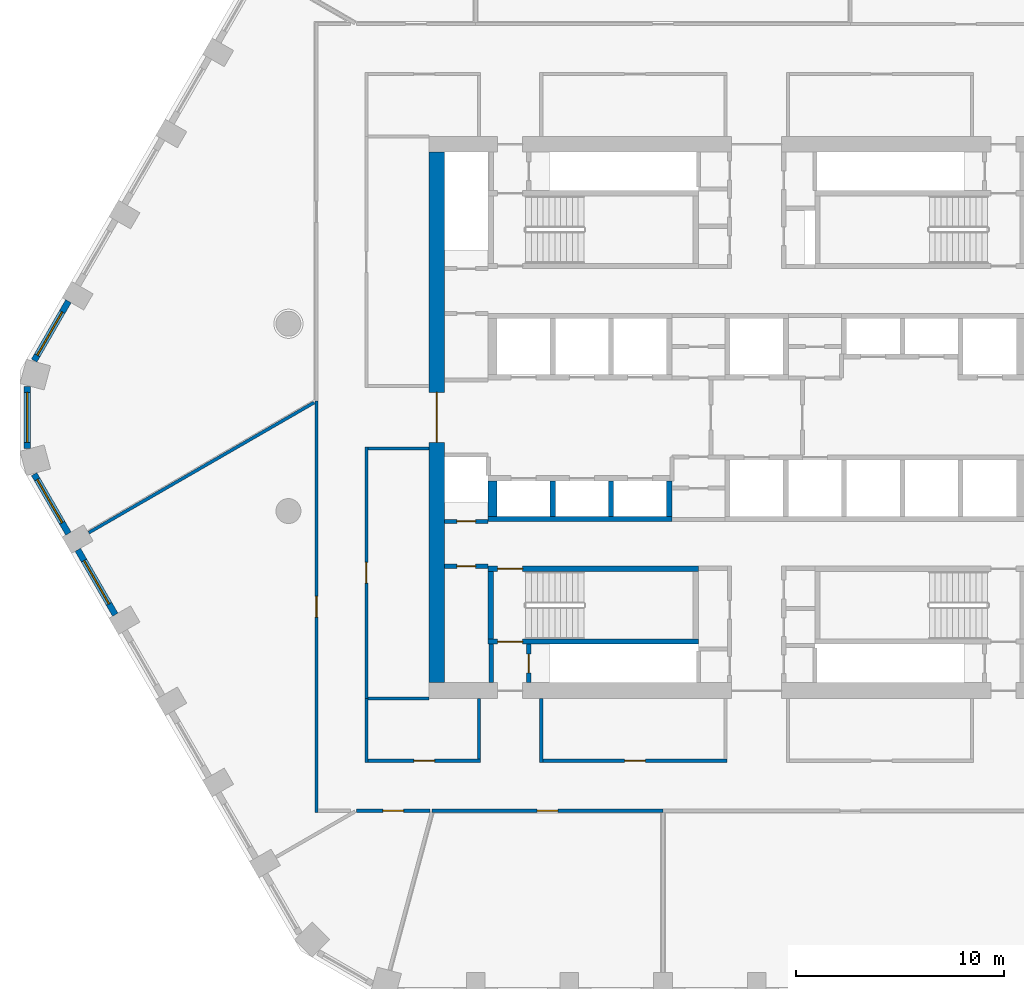
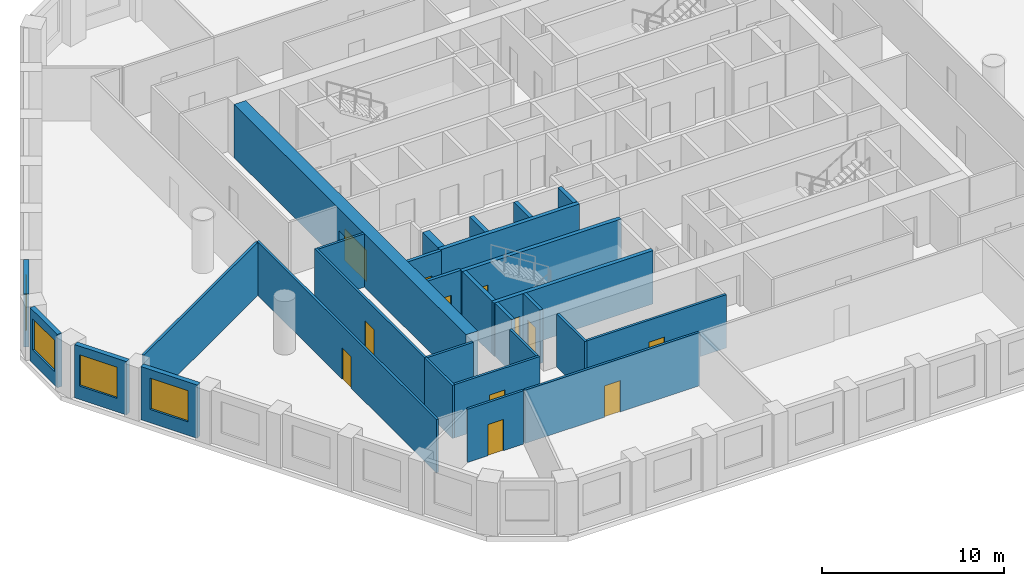
# One storey, part 2 of 14: 29 walls, 12 doors, 4 windows, 16 openings.
"""IFC4 building model written with IfcOpenShell, lengths in metres."""

from ifc_helpers import new_model, si_unit, direction, frame, frame_2d, origin, place, context, subcontext, project, spatial, polyline, rectangle, outline, extrude, material, layer, layer_set, type_object, element, fill, save


model = new_model("IFC4")

# Units and contexts
model_context = context("Model", 3, precision=1e-05, world=origin(), true_north=direction((0.0, 1.0)))
body_context = subcontext(model_context, "Body", "Model", "MODEL_VIEW")
ifc_project = project(units=[si_unit("LENGTHUNIT", "METRE"), si_unit("AREAUNIT", "SQUARE_METRE"), si_unit("VOLUMEUNIT", "CUBIC_METRE"), si_unit("PLANEANGLEUNIT", "RADIAN"), si_unit("MASSUNIT", "GRAM", prefix="KILO")], contexts=[model_context])

# Site, building, storey
site_placement = place(None, origin())
site = spatial("IfcSite", under=ifc_project, at=site_placement, CompositionType="ELEMENT")
building_placement = place(site_placement, origin())
building = spatial("IfcBuilding", under=site, at=building_placement, Name="Dhurran Vertical Campus", CompositionType="ELEMENT")
storey_placement = place(building_placement, frame((0.0, 0.0, 136.5)))
storey = spatial("IfcBuildingStorey", under=building, at=storey_placement, Name="L33", CompositionType="ELEMENT", Elevation=136.5)

# Wall, opening, window
ifc_material_1 = material(Name="Precast concrete C50/60", Category="concrete")
ifc_layer_1 = layer(ifc_material_1, 0.300048828125)
ifc_layer_set_1 = layer_set([ifc_layer_1], Name="Precast concrete C50/60")
wall_type_1 = type_object("IfcWallType", Name="Precast spandrel wall 300", PredefinedType="SOLIDWALL", material=ifc_layer_set_1)
wall_1_placement = place(storey_placement, frame((-33.0693359375, 5.58203125, 0.0), z_axis=(0.0, 0.0, 1.0), x_axis=(-0.499981217486, -0.866036247602, 0.0)))
wall_1 = element("IfcWall", 1, at=wall_1_placement, inside=storey, type_object=wall_type_1, Name="EW1 L33.37", PredefinedType="SOLIDWALL", context=body_context, shape_type="SweptSolid", body=[
    extrude(rectangle(XDim=3.294189453125, YDim=0.300048828125, at=frame_2d((1.64697265625, 0.0))), origin(), (0.0, 0.0, 1.0), 3.574951171875),
])
opening_1_placement = place(wall_1_placement, frame((0.599609375, 0.0, 0.89990234375)))
opening_1 = element("IfcOpeningElement", 2, at=opening_1_placement, cuts=wall_1, Name="Opening WT1", PredefinedType="OPENING", context=body_context, shape_type="SweptSolid", body=[
    extrude(rectangle(XDim=2.39990234375, YDim=2.10009765625, at=frame_2d((1.199951171875, 1.050048828125))), frame((0.0, 0.159912109375, 0.0), z_axis=(0.0, -1.0, 0.0), x_axis=(1.0, 0.0, 0.0)), (0.0, 0.0, 1.0), 0.320068359375),
])
ifc_material_2 = material(Name="Aluminium frame with solar-control glass", Category="aluminium")
window_type = type_object("IfcWindowType", Name="Punched window 2400 x 2100", PartitioningType="SINGLE_PANEL", PredefinedType="WINDOW", material=ifc_material_2)
window_1_placement = place(opening_1_placement, origin())
window_1 = element("IfcWindow", 3, at=window_1_placement, inside=storey, type_object=window_type, Name="WT1 L33.37", OverallHeight=2.10009765625, OverallWidth=2.39990234375, PartitioningType="SINGLE_PANEL", PredefinedType="WINDOW", context=body_context, shape_type="SweptSolid", body=[
    extrude(rectangle(XDim=2.39990234375, YDim=2.10009765625, at=frame_2d((1.199951171875, 1.050048828125))), frame((0.0, 0.030029296875, 0.0), z_axis=(0.0, -1.0, 0.0), x_axis=(1.0, 0.0, 0.0)), (0.0, 0.0, 1.0), 0.06005859375),
])
fill(opening_1, window_1)

wall_2_placement = place(storey_placement, frame((-35.047119140625, 1.49462890625, 0.0), z_axis=(0.0, 0.0, 1.0), x_axis=(0.0, -1.0, 0.0)))
wall_2 = element("IfcWall", 4, at=wall_2_placement, inside=storey, type_object=wall_type_1, Name="EW1 L33.38", PredefinedType="SOLIDWALL", context=body_context, shape_type="SweptSolid", body=[
    extrude(rectangle(XDim=2.9892578125, YDim=0.300048828125, at=frame_2d((1.49462890625, 0.0))), origin(), (0.0, 0.0, 1.0), 3.574951171875),
])
opening_2_placement = place(wall_2_placement, frame((0.294677734375, 0.0, 0.89990234375)))
opening_2 = element("IfcOpeningElement", 5, at=opening_2_placement, cuts=wall_2, Name="Opening WT1", PredefinedType="OPENING", context=body_context, shape_type="SweptSolid", body=[
    extrude(rectangle(XDim=2.39990234375, YDim=2.10009765625, at=frame_2d((1.199951171875, 1.050048828125))), frame((0.0, 0.159912109375, 0.0), z_axis=(0.0, -1.0, 0.0), x_axis=(1.0, 0.0, 0.0)), (0.0, 0.0, 1.0), 0.320068359375),
])
window_2_placement = place(opening_2_placement, origin())
window_2 = element("IfcWindow", 6, at=window_2_placement, inside=storey, type_object=window_type, Name="WT1 L33.38", OverallHeight=2.10009765625, OverallWidth=2.39990234375, PartitioningType="SINGLE_PANEL", PredefinedType="WINDOW", context=body_context, shape_type="SweptSolid", body=[
    extrude(rectangle(XDim=2.39990234375, YDim=2.10009765625, at=frame_2d((1.199951171875, 1.050048828125))), frame((0.0, 0.030029296875, 0.0), z_axis=(0.0, -1.0, 0.0), x_axis=(1.0, 0.0, 0.0)), (0.0, 0.0, 1.0), 0.06005859375),
])
fill(opening_2, window_2)

wall_3_placement = place(storey_placement, frame((-34.71630859375, -2.729248046875, 0.0), z_axis=(0.0, 0.0, 1.0), x_axis=(0.499981217486, -0.866036247602, 0.0)))
wall_3 = element("IfcWall", 7, at=wall_3_placement, inside=storey, type_object=wall_type_1, Name="EW1 L33.39", PredefinedType="SOLIDWALL", context=body_context, shape_type="SweptSolid", body=[
    extrude(rectangle(XDim=3.294189453125, YDim=0.300048828125, at=frame_2d((1.64697265625, 0.0))), origin(), (0.0, 0.0, 1.0), 3.574951171875),
])
opening_3_placement = place(wall_3_placement, frame((0.294677734375, 0.0, 0.89990234375)))
opening_3 = element("IfcOpeningElement", 8, at=opening_3_placement, cuts=wall_3, Name="Opening WT1", PredefinedType="OPENING", context=body_context, shape_type="SweptSolid", body=[
    extrude(rectangle(XDim=2.39990234375, YDim=2.10009765625, at=frame_2d((1.199951171875, 1.050048828125))), frame((0.0, 0.159912109375, 0.0), z_axis=(0.0, -1.0, 0.0), x_axis=(1.0, 0.0, 0.0)), (0.0, 0.0, 1.0), 0.320068359375),
])
window_3_placement = place(opening_3_placement, origin())
window_3 = element("IfcWindow", 9, at=window_3_placement, inside=storey, type_object=window_type, Name="WT1 L33.39", OverallHeight=2.10009765625, OverallWidth=2.39990234375, PartitioningType="SINGLE_PANEL", PredefinedType="WINDOW", context=body_context, shape_type="SweptSolid", body=[
    extrude(rectangle(XDim=2.39990234375, YDim=2.10009765625, at=frame_2d((1.199951171875, 1.050048828125))), frame((0.0, 0.030029296875, 0.0), z_axis=(0.0, -1.0, 0.0), x_axis=(1.0, 0.0, 0.0)), (0.0, 0.0, 1.0), 0.06005859375),
])
fill(opening_3, window_3)

wall_4_placement = place(storey_placement, frame((-32.618896484375, -6.3623046875, 0.0), z_axis=(0.0, 0.0, 1.0), x_axis=(0.500027802648, -0.866009351323, 0.0)))
wall_4 = element("IfcWall", 10, at=wall_4_placement, inside=storey, type_object=wall_type_1, Name="EW1 L33.40", PredefinedType="SOLIDWALL", context=body_context, shape_type="SweptSolid", body=[
    extrude(rectangle(XDim=3.598876953125, YDim=0.300048828125, at=frame_2d((1.79931640625, 0.0))), origin(), (0.0, 0.0, 1.0), 3.574951171875),
])
opening_4_placement = place(wall_4_placement, frame((0.599609375, 0.0, 0.89990234375)))
opening_4 = element("IfcOpeningElement", 11, at=opening_4_placement, cuts=wall_4, Name="Opening WT1", PredefinedType="OPENING", context=body_context, shape_type="SweptSolid", body=[
    extrude(rectangle(XDim=2.39990234375, YDim=2.10009765625, at=frame_2d((1.199951171875, 1.050048828125))), frame((0.0, 0.159912109375, 0.0), z_axis=(0.0, -1.0, 0.0), x_axis=(1.0, 0.0, 0.0)), (0.0, 0.0, 1.0), 0.320068359375),
])
window_4_placement = place(opening_4_placement, origin())
window_4 = element("IfcWindow", 12, at=window_4_placement, inside=storey, type_object=window_type, Name="WT1 L33.40", OverallHeight=2.10009765625, OverallWidth=2.39990234375, PartitioningType="SINGLE_PANEL", PredefinedType="WINDOW", context=body_context, shape_type="SweptSolid", body=[
    extrude(rectangle(XDim=2.39990234375, YDim=2.10009765625, at=frame_2d((1.199951171875, 1.050048828125))), frame((0.0, 0.030029296875, 0.0), z_axis=(0.0, -1.0, 0.0), x_axis=(1.0, 0.0, 0.0)), (0.0, 0.0, 1.0), 0.06005859375),
])
fill(opening_4, window_4)

# Wall, opening, door
ifc_material_3 = material(Name="Concrete C60/75", Category="concrete")
ifc_layer_2 = layer(ifc_material_3, 0.75)
ifc_layer_set_2 = layer_set([ifc_layer_2], Name="Concrete C60/75")
wall_type_2 = type_object("IfcWallType", Name="co-CORE-WALL-C1-750", PredefinedType="SHEAR", material=ifc_layer_set_2)
wall_5_placement = place(storey_placement, frame((-15.375, -12.75, 0.0), z_axis=(0.0, 0.0, 1.0), x_axis=(0.0, 1.0, 0.0)))
wall_5 = element("IfcWall", 13, at=wall_5_placement, inside=storey, type_object=wall_type_2, Name="Core wall W L33", PredefinedType="SHEAR", context=body_context, shape_type="SweptSolid", body=[
    extrude(rectangle(XDim=25.5, YDim=0.75, at=frame_2d((12.75, 0.0))), origin(), (0.0, 0.0, 1.0), 3.574951171875),
])
opening_5_placement = place(wall_5_placement, frame((11.550048828125, 0.0, 0.0)))
opening_5 = element("IfcOpeningElement", 14, at=opening_5_placement, cuts=wall_5, Name="Opening CL1", PredefinedType="OPENING", context=body_context, shape_type="SweptSolid", body=[
    extrude(rectangle(XDim=2.39990234375, YDim=2.10009765625, at=frame_2d((1.199951171875, 1.050048828125))), frame((0.0, 0.385009765625, 0.0), z_axis=(0.0, -1.0, 0.0), x_axis=(1.0, 0.0, 0.0)), (0.0, 0.0, 1.0), 0.77001953125),
])
ifc_material_4 = material(Name="Fire-rated glazed door set")
door_type_1 = type_object("IfcDoorType", Name="co-D-LOBBY 2400x2100", OperationType="DOUBLE_DOOR_DOUBLE_SWING", PredefinedType="DOOR", material=ifc_material_4)
door_1_placement = place(opening_5_placement, origin())
door_1 = element("IfcDoor", 15, at=door_1_placement, inside=storey, type_object=door_type_1, Name="Lift lobby door W L33", OperationType="DOUBLE_DOOR_DOUBLE_SWING", OverallHeight=2.10009765625, OverallWidth=2.39990234375, PredefinedType="DOOR", context=body_context, shape_type="SweptSolid", body=[
    extrude(rectangle(XDim=2.39990234375, YDim=2.10009765625, at=frame_2d((1.199951171875, 1.050048828125))), frame((0.0, 0.02490234375, 0.0), z_axis=(0.0, -1.0, 0.0), x_axis=(1.0, 0.0, 0.0)), (0.0, 0.0, 1.0), 0.050048828125),
])
fill(opening_5, door_1)

# Wall
ifc_material_5 = material(Name="Fire-rated masonry blockwork", Category="masonry")
ifc_layer_3 = layer(ifc_material_5, 0.199951171875)
ifc_layer_set_3 = layer_set([ifc_layer_3], Name="Fire-rated masonry blockwork")
wall_type_3 = type_object("IfcWallType", Name="co-FIRE-PARTITION-200", PredefinedType="PARTITIONING", material=ifc_layer_set_3)
wall_6_placement = place(storey_placement, frame((-12.75, -12.75, 0.0), z_axis=(0.0, 0.0, 1.0), x_axis=(0.0, 1.0, 0.0)))
element("IfcWall", 16, at=wall_6_placement, inside=storey, type_object=wall_type_3, Name="Core partition pass-ST3-o L33", PredefinedType="PARTITIONING", context=body_context, shape_type="SweptSolid", body=[
    extrude(rectangle(XDim=1.85009765625, YDim=0.199951171875, at=frame_2d((0.925048828125, 0.0))), origin(), (0.0, 0.0, 1.0), 3.574951171875),
])

# Wall, opening, door
wall_7_placement = place(storey_placement, frame((-10.949951171875, -12.75, 0.0), z_axis=(0.0, 0.0, 1.0), x_axis=(0.0, 1.0, 0.0)))
wall_7 = element("IfcWall", 17, at=wall_7_placement, inside=storey, type_object=wall_type_3, Name="Core partition pass-ST3-i L33", PredefinedType="PARTITIONING", context=body_context, shape_type="SweptSolid", body=[
    extrude(rectangle(XDim=1.85009765625, YDim=0.199951171875, at=frame_2d((0.925048828125, 0.0))), origin(), (0.0, 0.0, 1.0), 3.574951171875),
])
opening_6_placement = place(wall_7_placement, frame((0.47509765625, 0.0, 0.0)))
opening_6 = element("IfcOpeningElement", 18, at=opening_6_placement, cuts=wall_7, Name="Opening T09-C13", PredefinedType="OPENING", context=body_context, shape_type="SweptSolid", body=[
    extrude(rectangle(XDim=0.89990234375, YDim=2.10009765625, at=frame_2d((0.449951171875, 1.050048828125))), frame((0.0, 0.10986328125, 0.0), z_axis=(0.0, -1.0, 0.0), x_axis=(1.0, 0.0, 0.0)), (0.0, 0.0, 1.0), 0.219970703125),
])
ifc_material_6 = material(Name="Fire-rated timber door set", Category="wood")
door_type_2 = type_object("IfcDoorType", Name="co-D-ROOM 900x2100", OperationType="SINGLE_SWING_LEFT", PredefinedType="DOOR", material=ifc_material_6)
door_2_placement = place(opening_6_placement, origin())
door_2 = element("IfcDoor", 19, at=door_2_placement, inside=storey, type_object=door_type_2, Name="Riser room door L33", OperationType="SINGLE_SWING_LEFT", OverallHeight=2.10009765625, OverallWidth=0.89990234375, PredefinedType="DOOR", context=body_context, shape_type="SweptSolid", body=[
    extrude(rectangle(XDim=0.89990234375, YDim=2.10009765625, at=frame_2d((0.449951171875, 1.050048828125))), frame((0.0, 0.02490234375, 0.0), z_axis=(0.0, -1.0, 0.0), x_axis=(1.0, 0.0, 0.0)), (0.0, 0.0, 1.0), 0.050048828125),
])
fill(opening_6, door_2)

wall_8_placement = place(storey_placement, frame((-15.0, -7.14990234375, 0.0), z_axis=(0.0, 0.0, 1.0), x_axis=(1.0, 0.0, 0.0)))
wall_8 = element("IfcWall", 20, at=wall_8_placement, inside=storey, type_object=wall_type_3, Name="Core partition en-SW-w L33", PredefinedType="PARTITIONING", context=body_context, shape_type="SweptSolid", body=[
    extrude(rectangle(XDim=2.10009765625, YDim=0.199951171875, at=frame_2d((1.050048828125, 0.0))), origin(), (0.0, 0.0, 1.0), 3.574951171875),
])
opening_7_placement = place(wall_8_placement, frame((0.60009765625, 0.0, 0.0)))
opening_7 = element("IfcOpeningElement", 21, at=opening_7_placement, cuts=wall_8, Name="Opening T09-C19", PredefinedType="OPENING", context=body_context, shape_type="SweptSolid", body=[
    extrude(rectangle(XDim=0.89990234375, YDim=2.10009765625, at=frame_2d((0.449951171875, 1.050048828125))), frame((0.0, 0.10986328125, 0.0), z_axis=(0.0, -1.0, 0.0), x_axis=(1.0, 0.0, 0.0)), (0.0, 0.0, 1.0), 0.219970703125),
])
door_3_placement = place(opening_7_placement, origin())
door_3 = element("IfcDoor", 22, at=door_3_placement, inside=storey, type_object=door_type_2, Name="Print room door L33", OperationType="SINGLE_SWING_LEFT", OverallHeight=2.10009765625, OverallWidth=0.89990234375, PredefinedType="DOOR", context=body_context, shape_type="SweptSolid", body=[
    extrude(rectangle(XDim=0.89990234375, YDim=2.10009765625, at=frame_2d((0.449951171875, 1.050048828125))), frame((0.0, 0.02490234375, 0.0), z_axis=(0.0, -1.0, 0.0), x_axis=(1.0, 0.0, 0.0)), (0.0, 0.0, 1.0), 0.050048828125),
])
fill(opening_7, door_3)

wall_9_placement = place(storey_placement, frame((-15.0, -5.0, 0.0), z_axis=(0.0, 0.0, 1.0), x_axis=(1.0, 0.0, 0.0)))
wall_9 = element("IfcWall", 23, at=wall_9_placement, inside=storey, type_object=wall_type_3, Name="Core partition es-SW-w L33", PredefinedType="PARTITIONING", context=body_context, shape_type="SweptSolid", body=[
    extrude(rectangle(XDim=2.10009765625, YDim=0.199951171875, at=frame_2d((1.050048828125, 0.0))), origin(), (0.0, 0.0, 1.0), 3.574951171875),
])
opening_8_placement = place(wall_9_placement, frame((0.60009765625, 0.0, 0.0)))
opening_8 = element("IfcOpeningElement", 24, at=opening_8_placement, cuts=wall_9, Name="Opening T09-C20", PredefinedType="OPENING", context=body_context, shape_type="SweptSolid", body=[
    extrude(rectangle(XDim=0.89990234375, YDim=2.10009765625, at=frame_2d((0.449951171875, 1.050048828125))), frame((0.0, 0.10986328125, 0.0), z_axis=(0.0, -1.0, 0.0), x_axis=(1.0, 0.0, 0.0)), (0.0, 0.0, 1.0), 0.219970703125),
])
door_4_placement = place(opening_8_placement, origin())
door_4 = element("IfcDoor", 25, at=door_4_placement, inside=storey, type_object=door_type_2, Name="Water riser door L33", OperationType="SINGLE_SWING_LEFT", OverallHeight=2.10009765625, OverallWidth=0.89990234375, PredefinedType="DOOR", context=body_context, shape_type="SweptSolid", body=[
    extrude(rectangle(XDim=0.89990234375, YDim=2.10009765625, at=frame_2d((0.449951171875, 1.050048828125))), frame((0.0, 0.02490234375, 0.0), z_axis=(0.0, -1.0, 0.0), x_axis=(1.0, 0.0, 0.0)), (0.0, 0.0, 1.0), 0.050048828125),
])
fill(opening_8, door_4)

# Walls
ifc_material_7 = material(Name="Concrete C50/60", Category="concrete")
ifc_layer_4 = layer(ifc_material_7, 0.25)
ifc_layer_set_4 = layer_set([ifc_layer_4], Name="Concrete C50/60")
wall_type_4 = type_object("IfcWallType", Name="co-SHAFT-MASS-250", PredefinedType="SHEAR", material=ifc_layer_set_4)
wall_10_placement = place(storey_placement, origin())
element("IfcWall", 26, at=wall_10_placement, inside=storey, type_object=wall_type_4, Name="Lift shaft wall S L33 1", PredefinedType="SHEAR", context=body_context, shape_type="SweptSolid", body=[
    extrude(outline(polyline([(-12.89990234375, -5.0), (-4.074951171875, -5.0), (-4.074951171875, -4.75), (-12.89990234375, -4.75), (-12.89990234375, -5.0)])), origin(), (0.0, 0.0, 1.0), 3.574951171875),
])
wall_11_placement = place(storey_placement, origin())
element("IfcWall", 27, at=wall_11_placement, inside=storey, type_object=wall_type_4, Name="Lift shaft wall S L33 3", PredefinedType="SHEAR", context=body_context, shape_type="SweptSolid", body=[
    extrude(outline(polyline([(-12.89990234375, -4.75), (-12.47509765625, -4.75), (-12.47509765625, -3.050048828125), (-12.89990234375, -3.050048828125), (-12.89990234375, -4.75)])), origin(), (0.0, 0.0, 1.0), 3.574951171875),
])
wall_12_placement = place(storey_placement, origin())
element("IfcWall", 28, at=wall_12_placement, inside=storey, type_object=wall_type_4, Name="Lift shaft wall S L33 4", PredefinedType="SHEAR", context=body_context, shape_type="SweptSolid", body=[
    extrude(outline(polyline([(-9.925048828125, -4.75), (-9.675048828125, -4.75), (-9.675048828125, -3.050048828125), (-9.925048828125, -3.050048828125), (-9.925048828125, -4.75)])), origin(), (0.0, 0.0, 1.0), 3.574951171875),
])
wall_13_placement = place(storey_placement, origin())
element("IfcWall", 29, at=wall_13_placement, inside=storey, type_object=wall_type_4, Name="Lift shaft wall S L33 5", PredefinedType="SHEAR", context=body_context, shape_type="SweptSolid", body=[
    extrude(outline(polyline([(-7.125, -4.75), (-6.875, -4.75), (-6.875, -3.050048828125), (-7.125, -3.050048828125), (-7.125, -4.75)])), origin(), (0.0, 0.0, 1.0), 3.574951171875),
])
wall_14_placement = place(storey_placement, origin())
element("IfcWall", 30, at=wall_14_placement, inside=storey, type_object=wall_type_4, Name="Lift shaft wall S L33 6", PredefinedType="SHEAR", context=body_context, shape_type="SweptSolid", body=[
    extrude(outline(polyline([(-4.324951171875, -4.75), (-4.074951171875, -4.75), (-4.074951171875, -3.050048828125), (-4.324951171875, -3.050048828125), (-4.324951171875, -4.75)])), origin(), (0.0, 0.0, 1.0), 3.574951171875),
])

# Wall, opening, door
ifc_material_8 = material(Name="Concrete C40/50", Category="concrete")
ifc_layer_5 = layer(ifc_material_8, 0.25)
ifc_layer_set_5 = layer_set([ifc_layer_5], Name="Concrete C40/50")
wall_type_5 = type_object("IfcWallType", Name="co-STAIR-WALL-250", PredefinedType="SHEAR", material=ifc_layer_set_5)
wall_15_placement = place(storey_placement, frame((-12.89990234375, -10.77490234375, 0.0), z_axis=(0.0, 0.0, 1.0), x_axis=(1.0, 0.0, 0.0)))
wall_15 = element("IfcWall", 31, at=wall_15_placement, inside=storey, type_object=wall_type_5, Name="Stair ST3 enclosure wall L33", PredefinedType="SHEAR", context=body_context, shape_type="SweptSolid", body=[
    extrude(rectangle(XDim=10.099853515625, YDim=0.25, at=frame_2d((5.0498046875, 0.0))), origin(), (0.0, 0.0, 1.0), 3.574951171875),
])
opening_9_placement = place(wall_15_placement, frame((0.449951171875, 0.0, 0.0)))
opening_9 = element("IfcOpeningElement", 32, at=opening_9_placement, cuts=wall_15, Name="Opening XS3", PredefinedType="OPENING", context=body_context, shape_type="SweptSolid", body=[
    extrude(rectangle(XDim=1.199951171875, YDim=2.10009765625, at=frame_2d((0.60009765625, 1.050048828125))), frame((0.0, 0.135009765625, 0.0), z_axis=(0.0, -1.0, 0.0), x_axis=(1.0, 0.0, 0.0)), (0.0, 0.0, 1.0), 0.27001953125),
])
ifc_material_9 = material(Name="Fire-rated steel door set", Category="steel")
door_type_3 = type_object("IfcDoorType", Name="co-D-STAIR-EXIT 1200x2100", OperationType="SINGLE_SWING_RIGHT", PredefinedType="DOOR", material=ifc_material_9)
door_5_placement = place(opening_9_placement, origin())
door_5 = element("IfcDoor", 33, at=door_5_placement, inside=storey, type_object=door_type_3, Name="Stair ST3 discharge door L33", OperationType="SINGLE_SWING_RIGHT", OverallHeight=2.10009765625, OverallWidth=1.199951171875, PredefinedType="DOOR", context=body_context, shape_type="SweptSolid", body=[
    extrude(rectangle(XDim=1.199951171875, YDim=2.10009765625, at=frame_2d((0.60009765625, 1.050048828125))), frame((0.0, 0.02490234375, 0.0), z_axis=(0.0, -1.0, 0.0), x_axis=(1.0, 0.0, 0.0)), (0.0, 0.0, 1.0), 0.050048828125),
])
fill(opening_9, door_5)

wall_16_placement = place(storey_placement, frame((-12.89990234375, -7.27490234375, 0.0), z_axis=(0.0, 0.0, 1.0), x_axis=(1.0, 0.0, 0.0)))
wall_16 = element("IfcWall", 34, at=wall_16_placement, inside=storey, type_object=wall_type_5, Name="Stair ST3 enclosure wall L33", PredefinedType="SHEAR", context=body_context, shape_type="SweptSolid", body=[
    extrude(rectangle(XDim=10.099853515625, YDim=0.25, at=frame_2d((5.0498046875, 0.0))), origin(), (0.0, 0.0, 1.0), 3.574951171875),
])
opening_10_placement = place(wall_16_placement, frame((0.449951171875, 0.0, 0.0)))
opening_10 = element("IfcOpeningElement", 35, at=opening_10_placement, cuts=wall_16, Name="Opening SD3", PredefinedType="OPENING", context=body_context, shape_type="SweptSolid", body=[
    extrude(rectangle(XDim=1.199951171875, YDim=2.10009765625, at=frame_2d((0.60009765625, 1.050048828125))), frame((0.0, 0.135009765625, 0.0), z_axis=(0.0, -1.0, 0.0), x_axis=(1.0, 0.0, 0.0)), (0.0, 0.0, 1.0), 0.27001953125),
])
ifc_material_10 = material(Name="Fire-rated steel door set", Category="steel")
door_type_4 = type_object("IfcDoorType", Name="co-D-STAIR 1200x2100", OperationType="SINGLE_SWING_LEFT", PredefinedType="DOOR", material=ifc_material_10)
door_6_placement = place(opening_10_placement, origin())
door_6 = element("IfcDoor", 36, at=door_6_placement, inside=storey, type_object=door_type_4, Name="Stair ST3 door L33", OperationType="SINGLE_SWING_LEFT", OverallHeight=2.10009765625, OverallWidth=1.199951171875, PredefinedType="DOOR", context=body_context, shape_type="SweptSolid", body=[
    extrude(rectangle(XDim=1.199951171875, YDim=2.10009765625, at=frame_2d((0.60009765625, 1.050048828125))), frame((0.0, 0.02490234375, 0.0), z_axis=(0.0, -1.0, 0.0), x_axis=(1.0, 0.0, 0.0)), (0.0, 0.0, 1.0), 0.050048828125),
])
fill(opening_10, door_6)

# Wall
wall_17_placement = place(storey_placement, frame((-12.77490234375, -10.64990234375, 0.0), z_axis=(0.0, 0.0, 1.0), x_axis=(0.0, 1.0, 0.0)))
element("IfcWall", 37, at=wall_17_placement, inside=storey, type_object=wall_type_5, Name="Stair ST3 enclosure wall L33", PredefinedType="SHEAR", context=body_context, shape_type="SweptSolid", body=[
    extrude(rectangle(XDim=3.25, YDim=0.25, at=frame_2d((1.625, 0.0))), origin(), (0.0, 0.0, 1.0), 3.574951171875),
])

# Wall, opening, door
ifc_material_11 = material(Name="Gypsum board corridor wall on steel studs", Category="steel")
ifc_layer_6 = layer(ifc_material_11, 0.14990234375)
ifc_layer_set_6 = layer_set([ifc_layer_6], Name="Gypsum board corridor wall on steel studs")
wall_type_6 = type_object("IfcWallType", Name="fl-CW-150 corridor wall", PredefinedType="PARTITIONING", material=ifc_layer_set_6)
wall_18_placement = place(storey_placement, frame((-21.14990234375, 0.779052734375, 0.0), z_axis=(0.0, 0.0, 1.0), x_axis=(0.0, -1.0, 0.0)))
wall_18 = element("IfcWall", 38, at=wall_18_placement, inside=storey, type_object=wall_type_6, Name="Partition 33-04", PredefinedType="PARTITIONING", context=body_context, shape_type="SweptSolid", body=[
    extrude(rectangle(XDim=19.754150390625, YDim=0.14990234375, at=frame_2d((9.876953125, 0.0))), origin(), (0.0, 0.0, 1.0), 3.574951171875),
])
opening_11_placement = place(wall_18_placement, frame((9.376953125, 0.0, 0.0)))
opening_11 = element("IfcOpeningElement", 39, at=opening_11_placement, cuts=wall_18, Name="Opening T09.02", PredefinedType="OPENING", context=body_context, shape_type="SweptSolid", body=[
    extrude(rectangle(XDim=1.0, YDim=2.10009765625, at=frame_2d((0.5, 1.050048828125))), frame((0.0, 0.0849609375, 0.0), z_axis=(0.0, -1.0, 0.0), x_axis=(1.0, 0.0, 0.0)), (0.0, 0.0, 1.0), 0.169921875),
])
ifc_material_12 = material(Name="Solid-core timber door set, fire-rated", Category="wood")
door_type_5 = type_object("IfcDoorType", Name="fl-D-1000x2100", OperationType="SINGLE_SWING_LEFT", PredefinedType="DOOR", material=ifc_material_12)
door_7_placement = place(opening_11_placement, origin())
door_7 = element("IfcDoor", 40, at=door_7_placement, inside=storey, type_object=door_type_5, Name="Door 33.02", OperationType="SINGLE_SWING_RIGHT", OverallHeight=2.10009765625, OverallWidth=1.0, PredefinedType="DOOR", context=body_context, shape_type="SweptSolid", body=[
    extrude(rectangle(XDim=1.0, YDim=2.10009765625, at=frame_2d((0.5, 1.050048828125))), frame((0.0, 0.02490234375, 0.0), z_axis=(0.0, -1.0, 0.0), x_axis=(1.0, 0.0, 0.0)), (0.0, 0.0, 1.0), 0.050048828125),
])
fill(opening_11, door_7)

wall_19_placement = place(storey_placement, frame((-19.236083984375, -18.89990234375, 0.0), z_axis=(0.0, 0.0, 1.0), x_axis=(1.0, 0.0, 0.0)))
wall_19 = element("IfcWall", 41, at=wall_19_placement, inside=storey, type_object=wall_type_6, Name="Partition 33-08", PredefinedType="PARTITIONING", context=body_context, shape_type="SweptSolid", body=[
    extrude(rectangle(XDim=3.548095703125, YDim=0.14990234375, at=frame_2d((1.77392578125, 0.0))), origin(), (0.0, 0.0, 1.0), 3.574951171875),
])
opening_12_placement = place(wall_19_placement, frame((1.27392578125, 0.0, 0.0)))
opening_12 = element("IfcOpeningElement", 42, at=opening_12_placement, cuts=wall_19, Name="Opening T09.03", PredefinedType="OPENING", context=body_context, shape_type="SweptSolid", body=[
    extrude(rectangle(XDim=1.0, YDim=2.10009765625, at=frame_2d((0.5, 1.050048828125))), frame((0.0, 0.0849609375, 0.0), z_axis=(0.0, -1.0, 0.0), x_axis=(1.0, 0.0, 0.0)), (0.0, 0.0, 1.0), 0.169921875),
])
door_8_placement = place(opening_12_placement, origin())
door_8 = element("IfcDoor", 43, at=door_8_placement, inside=storey, type_object=door_type_5, Name="Door 33.03", OperationType="SINGLE_SWING_LEFT", OverallHeight=2.10009765625, OverallWidth=1.0, PredefinedType="DOOR", context=body_context, shape_type="SweptSolid", body=[
    extrude(rectangle(XDim=1.0, YDim=2.10009765625, at=frame_2d((0.5, 1.050048828125))), frame((0.0, 0.02490234375, 0.0), z_axis=(0.0, -1.0, 0.0), x_axis=(1.0, 0.0, 0.0)), (0.0, 0.0, 1.0), 0.050048828125),
])
fill(opening_12, door_8)

# Wall
wall_20_placement = place(storey_placement, frame((-18.75, -16.574951171875, 0.0), z_axis=(0.0, 0.0, 1.0), x_axis=(0.0, 1.0, 0.0)))
element("IfcWall", 44, at=wall_20_placement, inside=storey, type_object=wall_type_6, Name="Partition 33-10", PredefinedType="PARTITIONING", context=body_context, shape_type="SweptSolid", body=[
    extrude(rectangle(XDim=3.074951171875, YDim=0.14990234375, at=frame_2d((1.53759765625, 0.0))), origin(), (0.0, 0.0, 1.0), 3.574951171875),
])

# Wall, opening, door
wall_21_placement = place(storey_placement, frame((-13.27490234375, -16.5, 0.0), z_axis=(0.0, 0.0, 1.0), x_axis=(-1.0, 0.0, 0.0)))
wall_21 = element("IfcWall", 45, at=wall_21_placement, inside=storey, type_object=wall_type_6, Name="Partition 33-11", PredefinedType="PARTITIONING", context=body_context, shape_type="SweptSolid", body=[
    extrude(rectangle(XDim=5.400146484375, YDim=0.14990234375, at=frame_2d((2.7001953125, 0.0))), origin(), (0.0, 0.0, 1.0), 3.574951171875),
])
opening_13_placement = place(wall_21_placement, frame((2.199951171875, 0.0, 0.0)))
opening_13 = element("IfcOpeningElement", 46, at=opening_13_placement, cuts=wall_21, Name="Opening T09.07", PredefinedType="OPENING", context=body_context, shape_type="SweptSolid", body=[
    extrude(rectangle(XDim=1.0, YDim=2.10009765625, at=frame_2d((0.5, 1.050048828125))), frame((0.0, 0.0849609375, 0.0), z_axis=(0.0, -1.0, 0.0), x_axis=(1.0, 0.0, 0.0)), (0.0, 0.0, 1.0), 0.169921875),
])
door_9_placement = place(opening_13_placement, origin())
door_9 = element("IfcDoor", 47, at=door_9_placement, inside=storey, type_object=door_type_5, Name="Door 33.07", OperationType="SINGLE_SWING_RIGHT", OverallHeight=2.10009765625, OverallWidth=1.0, PredefinedType="DOOR", context=body_context, shape_type="SweptSolid", body=[
    extrude(rectangle(XDim=1.0, YDim=2.10009765625, at=frame_2d((0.5, 1.050048828125))), frame((0.0, 0.02490234375, 0.0), z_axis=(0.0, -1.0, 0.0), x_axis=(1.0, 0.0, 0.0)), (0.0, 0.0, 1.0), 0.050048828125),
])
fill(opening_13, door_9)

wall_22_placement = place(storey_placement, frame((-18.75, -13.5, 0.0), z_axis=(0.0, 0.0, 1.0), x_axis=(0.0, 1.0, 0.0)))
wall_22 = element("IfcWall", 48, at=wall_22_placement, inside=storey, type_object=wall_type_6, Name="Partition 33-12", PredefinedType="PARTITIONING", context=body_context, shape_type="SweptSolid", body=[
    extrude(rectangle(XDim=12.074951171875, YDim=0.14990234375, at=frame_2d((6.03759765625, 0.0))), origin(), (0.0, 0.0, 1.0), 3.574951171875),
])
opening_14_placement = place(wall_22_placement, frame((5.53759765625, 0.0, 0.0)))
opening_14 = element("IfcOpeningElement", 49, at=opening_14_placement, cuts=wall_22, Name="Opening T09.05", PredefinedType="OPENING", context=body_context, shape_type="SweptSolid", body=[
    extrude(rectangle(XDim=1.0, YDim=2.10009765625, at=frame_2d((0.5, 1.050048828125))), frame((0.0, 0.0849609375, 0.0), z_axis=(0.0, -1.0, 0.0), x_axis=(1.0, 0.0, 0.0)), (0.0, 0.0, 1.0), 0.169921875),
])
door_10_placement = place(opening_14_placement, origin())
door_10 = element("IfcDoor", 50, at=door_10_placement, inside=storey, type_object=door_type_5, Name="Door 33.05", OperationType="SINGLE_SWING_RIGHT", OverallHeight=2.10009765625, OverallWidth=1.0, PredefinedType="DOOR", context=body_context, shape_type="SweptSolid", body=[
    extrude(rectangle(XDim=1.0, YDim=2.10009765625, at=frame_2d((0.5, 1.050048828125))), frame((0.0, 0.02490234375, 0.0), z_axis=(0.0, -1.0, 0.0), x_axis=(1.0, 0.0, 0.0)), (0.0, 0.0, 1.0), 0.050048828125),
])
fill(opening_14, door_10)

# Wall
wall_23_placement = place(storey_placement, frame((-18.675048828125, -1.5, 0.0), z_axis=(0.0, 0.0, 1.0), x_axis=(1.0, 0.0, 0.0)))
element("IfcWall", 51, at=wall_23_placement, inside=storey, type_object=wall_type_6, Name="Partition 33-14", PredefinedType="PARTITIONING", context=body_context, shape_type="SweptSolid", body=[
    extrude(rectangle(XDim=2.925048828125, YDim=0.14990234375, at=frame_2d((1.46240234375, 0.0))), origin(), (0.0, 0.0, 1.0), 3.574951171875),
])

# Wall, opening, door
wall_24_placement = place(storey_placement, frame((-15.593017578125, -18.89990234375, 0.0), z_axis=(0.0, 0.0, 1.0), x_axis=(1.0, 0.0, 0.0)))
wall_24 = element("IfcWall", 52, at=wall_24_placement, inside=storey, type_object=wall_type_6, Name="Partition 33-21", PredefinedType="PARTITIONING", context=body_context, shape_type="SweptSolid", body=[
    extrude(rectangle(XDim=11.093017578125, YDim=0.14990234375, at=frame_2d((5.54638671875, 0.0))), origin(), (0.0, 0.0, 1.0), 3.574951171875),
])
opening_15_placement = place(wall_24_placement, frame((5.04638671875, 0.0, 0.0)))
opening_15 = element("IfcOpeningElement", 53, at=opening_15_placement, cuts=wall_24, Name="Opening T09.09", PredefinedType="OPENING", context=body_context, shape_type="SweptSolid", body=[
    extrude(rectangle(XDim=1.0, YDim=2.10009765625, at=frame_2d((0.5, 1.050048828125))), frame((0.0, 0.0849609375, 0.0), z_axis=(0.0, -1.0, 0.0), x_axis=(1.0, 0.0, 0.0)), (0.0, 0.0, 1.0), 0.169921875),
])
door_11_placement = place(opening_15_placement, origin())
door_11 = element("IfcDoor", 54, at=door_11_placement, inside=storey, type_object=door_type_5, Name="Door 33.09", OperationType="SINGLE_SWING_RIGHT", OverallHeight=2.10009765625, OverallWidth=1.0, PredefinedType="DOOR", context=body_context, shape_type="SweptSolid", body=[
    extrude(rectangle(XDim=1.0, YDim=2.10009765625, at=frame_2d((0.5, 1.050048828125))), frame((0.0, 0.02490234375, 0.0), z_axis=(0.0, -1.0, 0.0), x_axis=(1.0, 0.0, 0.0)), (0.0, 0.0, 1.0), 0.050048828125),
])
fill(opening_15, door_11)

# Walls
wall_25_placement = place(storey_placement, frame((-13.35009765625, -13.5, 0.0), z_axis=(0.0, 0.0, 1.0), x_axis=(0.0, -1.0, 0.0)))
element("IfcWall", 55, at=wall_25_placement, inside=storey, type_object=wall_type_6, Name="Partition 33-24", PredefinedType="PARTITIONING", context=body_context, shape_type="SweptSolid", body=[
    extrude(rectangle(XDim=2.925048828125, YDim=0.14990234375, at=frame_2d((1.46240234375, 0.0))), origin(), (0.0, 0.0, 1.0), 3.574951171875),
])
wall_26_placement = place(storey_placement, frame((-10.35009765625, -16.574951171875, 0.0), z_axis=(0.0, 0.0, 1.0), x_axis=(0.0, 1.0, 0.0)))
element("IfcWall", 56, at=wall_26_placement, inside=storey, type_object=wall_type_6, Name="Partition 33-26", PredefinedType="PARTITIONING", context=body_context, shape_type="SweptSolid", body=[
    extrude(rectangle(XDim=3.074951171875, YDim=0.14990234375, at=frame_2d((1.53759765625, 0.0))), origin(), (0.0, 0.0, 1.0), 3.574951171875),
])

# Wall, opening, door
wall_27_placement = place(storey_placement, frame((-1.425048828125, -16.5, 0.0), z_axis=(0.0, 0.0, 1.0), x_axis=(-1.0, 0.0, 0.0)))
wall_27 = element("IfcWall", 57, at=wall_27_placement, inside=storey, type_object=wall_type_6, Name="Partition 33-27", PredefinedType="PARTITIONING", context=body_context, shape_type="SweptSolid", body=[
    extrude(rectangle(XDim=8.849853515625, YDim=0.14990234375, at=frame_2d((4.4248046875, 0.0))), origin(), (0.0, 0.0, 1.0), 3.574951171875),
])
opening_16_placement = place(wall_27_placement, frame((3.925048828125, 0.0, 0.0)))
opening_16 = element("IfcOpeningElement", 58, at=opening_16_placement, cuts=wall_27, Name="Opening T09.10", PredefinedType="OPENING", context=body_context, shape_type="SweptSolid", body=[
    extrude(rectangle(XDim=1.0, YDim=2.10009765625, at=frame_2d((0.5, 1.050048828125))), frame((0.0, 0.0849609375, 0.0), z_axis=(0.0, -1.0, 0.0), x_axis=(1.0, 0.0, 0.0)), (0.0, 0.0, 1.0), 0.169921875),
])
door_12_placement = place(opening_16_placement, origin())
door_12 = element("IfcDoor", 59, at=door_12_placement, inside=storey, type_object=door_type_5, Name="Door 33.10", OperationType="SINGLE_SWING_RIGHT", OverallHeight=2.10009765625, OverallWidth=1.0, PredefinedType="DOOR", context=body_context, shape_type="SweptSolid", body=[
    extrude(rectangle(XDim=1.0, YDim=2.10009765625, at=frame_2d((0.5, 1.050048828125))), frame((0.0, 0.02490234375, 0.0), z_axis=(0.0, -1.0, 0.0), x_axis=(1.0, 0.0, 0.0)), (0.0, 0.0, 1.0), 0.050048828125),
])
fill(opening_16, door_12)

# Walls
ifc_material_13 = material(Name="Gypsum board partition on steel studs", Category="steel")
ifc_layer_7 = layer(ifc_material_13, 0.14990234375)
ifc_layer_set_7 = layer_set([ifc_layer_7], Name="Gypsum board partition on steel studs")
wall_type_7 = type_object("IfcWallType", Name="fl-PW-150 fixed partition", PredefinedType="PARTITIONING", material=ifc_layer_set_7)
wall_28_placement = place(storey_placement, frame((-21.2626953125, 0.714111328125, 0.0), z_axis=(0.0, 0.0, 1.0), x_axis=(-0.866034381457, -0.499984449893, 0.0)))
element("IfcWall", 60, at=wall_28_placement, inside=storey, type_object=wall_type_7, Name="Partition 33-01", PredefinedType="PARTITIONING", context=body_context, shape_type="SweptSolid", body=[
    extrude(rectangle(XDim=12.5029296875, YDim=0.14990234375, at=frame_2d((6.25146484375, 0.0))), origin(), (0.0, 0.0, 1.0), 3.574951171875),
])
wall_29_placement = place(storey_placement, frame((-15.75, -13.5, 0.0), z_axis=(0.0, 0.0, 1.0), x_axis=(-1.0, 0.0, 0.0)))
element("IfcWall", 61, at=wall_29_placement, inside=storey, type_object=wall_type_7, Name="Partition 33-13", PredefinedType="PARTITIONING", context=body_context, shape_type="SweptSolid", body=[
    extrude(rectangle(XDim=2.925048828125, YDim=0.14990234375, at=frame_2d((1.46240234375, 0.0))), origin(), (0.0, 0.0, 1.0), 3.574951171875),
])

save(model, "model.ifc")
